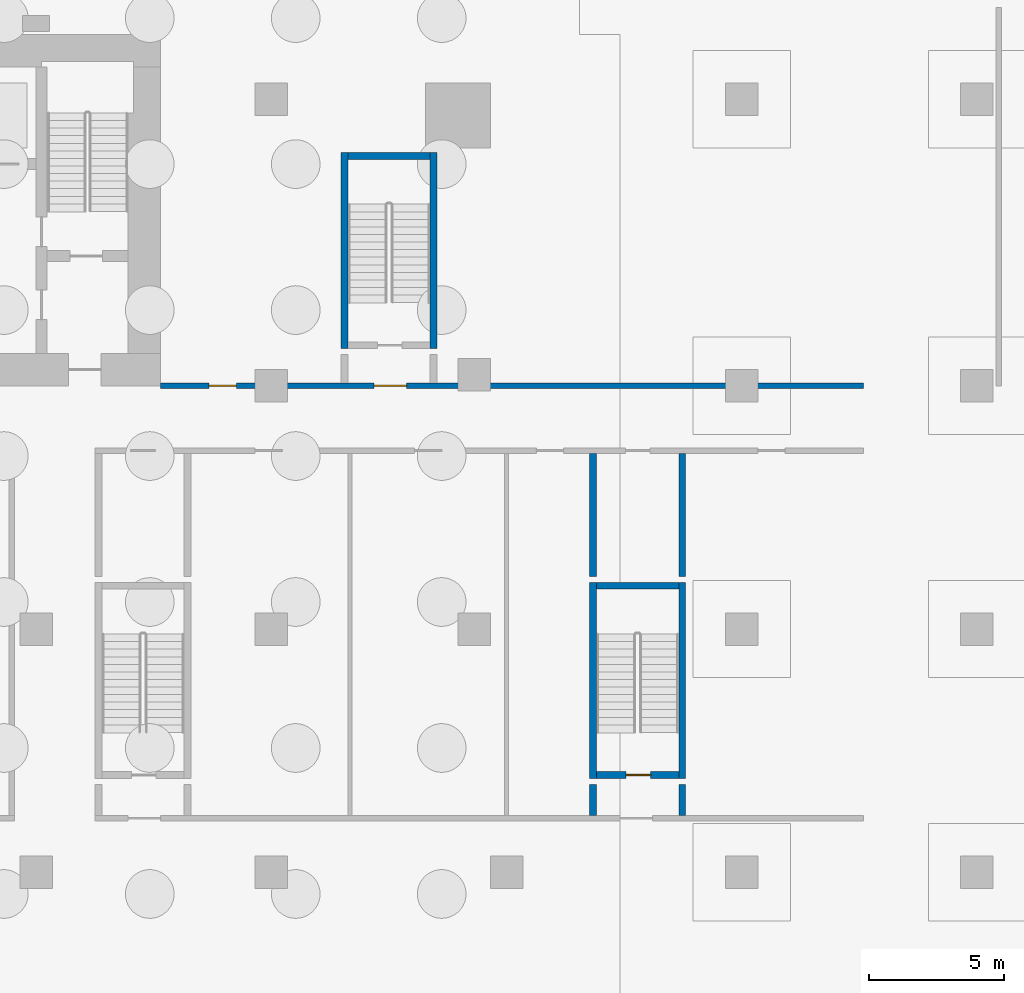
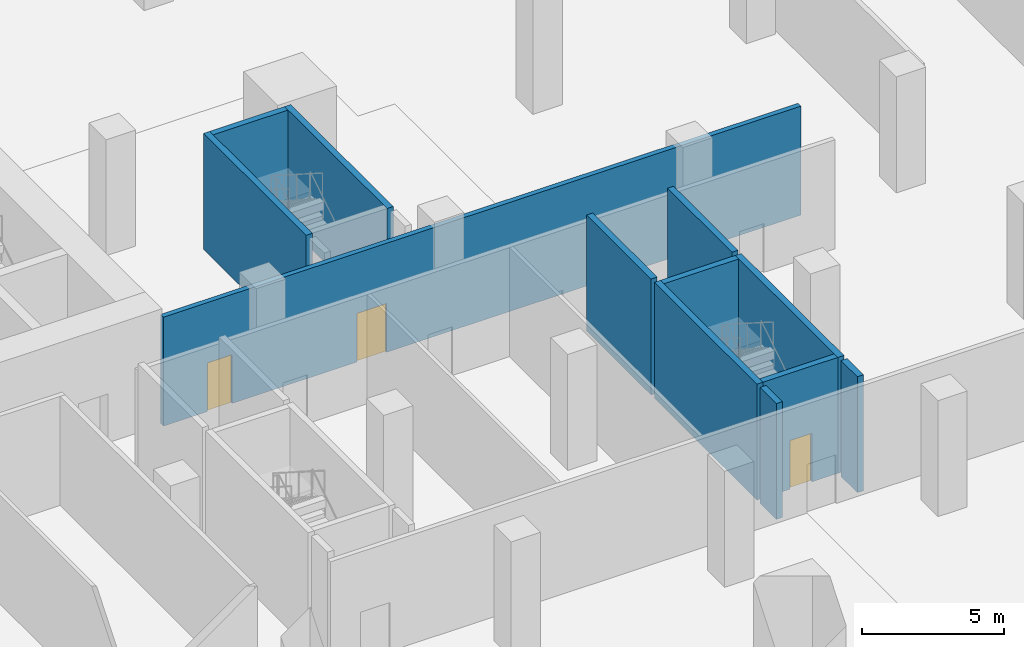
# One storey, part 6 of 10: 12 walls, 3 doors, 3 openings.
"""IFC4 building model written with IfcOpenShell, lengths in metres."""

from ifc_helpers import new_model, si_unit, direction, frame, frame_2d, origin, place, context, subcontext, project, spatial, rectangle, extrude, material, layer, layer_set, type_object, element, fill, save


model = new_model("IFC4")

# Units and contexts
model_context = context("Model", 3, precision=1e-05, world=origin(), true_north=direction((0.0, 1.0)))
body_context = subcontext(model_context, "Body", "Model", "MODEL_VIEW")
ifc_project = project(units=[si_unit("LENGTHUNIT", "METRE"), si_unit("AREAUNIT", "SQUARE_METRE"), si_unit("VOLUMEUNIT", "CUBIC_METRE"), si_unit("PLANEANGLEUNIT", "RADIAN"), si_unit("MASSUNIT", "GRAM", prefix="KILO")], contexts=[model_context])

# Site, building, storey
site_placement = place(None, origin())
site = spatial("IfcSite", under=ifc_project, at=site_placement, CompositionType="ELEMENT")
building_placement = place(site_placement, origin())
building = spatial("IfcBuilding", under=site, at=building_placement, Name="Bicima Exchange Tower", CompositionType="ELEMENT")
storey_placement = place(building_placement, frame((0.0, 0.0, -15.0)))
storey = spatial("IfcBuildingStorey", under=building, at=storey_placement, Name="B3", CompositionType="ELEMENT", Elevation=-15.0)

# Wall, openings, doors
ifc_material_1 = material(Name="Gypsum board partition")
ifc_layer_1 = layer(ifc_material_1, 0.199951171875)
ifc_layer_set_1 = layer_set([ifc_layer_1], Name="Gypsum board partition")
wall_type_1 = type_object("IfcWallType", Name="Fire-rated gypsum partition 200 EI60", PredefinedType="PARTITIONING", material=ifc_layer_set_1)
wall_1_placement = place(storey_placement, frame((22.0, -13.0, 0.0), z_axis=(0.0, 0.0, 1.0), x_axis=(1.0, 0.0, 0.0)))
wall_1 = element("IfcWall", 1, at=wall_1_placement, inside=storey, type_object=wall_type_1, Name="partition wall 16", PredefinedType="PARTITIONING", context=body_context, shape_type="SweptSolid", body=[
    extrude(rectangle(XDim=26.0, YDim=0.199951171875, at=frame_2d((13.0, 0.0))), origin(), (0.0, 0.0, 1.0), 4.699951171875),
])
opening_1_placement = place(wall_1_placement, frame((7.89990234375, 0.0, 0.0)))
opening_1 = element("IfcOpeningElement", 2, at=opening_1_placement, cuts=wall_1, Name="Opening B3-011", PredefinedType="OPENING", context=body_context, shape_type="SweptSolid", body=[
    extrude(rectangle(XDim=1.199951171875, YDim=2.10009765625, at=frame_2d((0.60009765625, 1.050048828125))), frame((0.0, 0.11181640625, 0.0), z_axis=(0.0, -1.0, 0.0), x_axis=(1.0, 0.0, 0.0)), (0.0, 0.0, 1.0), 0.223876953125),
])
opening_2_placement = place(wall_1_placement, frame((1.800048828125, 0.0, 0.0)))
opening_2 = element("IfcOpeningElement", 3, at=opening_2_placement, cuts=wall_1, Name="Opening B3-014", PredefinedType="OPENING", context=body_context, shape_type="SweptSolid", body=[
    extrude(rectangle(XDim=1.0, YDim=2.10009765625, at=frame_2d((0.5, 1.050048828125))), frame((0.0, 0.11181640625, 0.0), z_axis=(0.0, -1.0, 0.0), x_axis=(1.0, 0.0, 0.0)), (0.0, 0.0, 1.0), 0.223876953125),
])
ifc_material_2 = material(Name="Steel fire door leaf", Category="steel")
door_type_1 = type_object("IfcDoorType", Name="Door 1000 swing FD30S", OperationType="SINGLE_SWING_LEFT", PredefinedType="DOOR", material=ifc_material_2)
door_1_placement = place(opening_2_placement, origin())
door_1 = element("IfcDoor", 4, at=door_1_placement, inside=storey, type_object=door_type_1, Name="Door", OperationType="SINGLE_SWING_LEFT", OverallHeight=2.10009765625, OverallWidth=1.0, PredefinedType="DOOR", context=body_context, shape_type="SweptSolid", body=[
    extrude(rectangle(XDim=1.0, YDim=2.10009765625, at=frame_2d((0.5, 1.050048828125))), frame((0.0, 0.02490234375, 0.0), z_axis=(0.0, -1.0, 0.0), x_axis=(1.0, 0.0, 0.0)), (0.0, 0.0, 1.0), 0.050048828125),
])
fill(opening_2, door_1)
door_type_2 = type_object("IfcDoorType", Name="Door 1200 swing FD30S", OperationType="SINGLE_SWING_LEFT", PredefinedType="DOOR", material=ifc_material_2)
door_2_placement = place(opening_1_placement, origin())
door_2 = element("IfcDoor", 5, at=door_2_placement, inside=storey, type_object=door_type_2, Name="Door", OperationType="SINGLE_SWING_LEFT", OverallHeight=2.10009765625, OverallWidth=1.199951171875, PredefinedType="DOOR", context=body_context, shape_type="SweptSolid", body=[
    extrude(rectangle(XDim=1.199951171875, YDim=2.10009765625, at=frame_2d((0.60009765625, 1.050048828125))), frame((0.0, 0.02490234375, 0.0), z_axis=(0.0, -1.0, 0.0), x_axis=(1.0, 0.0, 0.0)), (0.0, 0.0, 1.0), 0.050048828125),
])
fill(opening_1, door_2)

# Walls
ifc_material_3 = material(Name="Concrete C50/60", Category="concrete")
ifc_layer_2 = layer(ifc_material_3, 0.25)
ifc_layer_set_2 = layer_set([ifc_layer_2], Name="Concrete C50/60")
wall_type_2 = type_object("IfcWallType", Name="RC core wall 250 C50/60", PredefinedType="SHEAR", material=ifc_layer_set_2)
wall_2_placement = place(storey_placement, frame((38.0, -28.89990234375, 0.0), z_axis=(0.0, 0.0, 1.0), x_axis=(0.0, 1.0, 0.0)))
element("IfcWall", 6, at=wall_2_placement, inside=storey, type_object=wall_type_2, Name="stair wall 42", PredefinedType="SHEAR", context=body_context, shape_type="SweptSolid", body=[
    extrude(rectangle(XDim=1.14990234375, YDim=0.25, at=frame_2d((0.574951171875, 0.0))), origin(), (0.0, 0.0, 1.0), 5.0),
])
wall_3_placement = place(storey_placement, frame((38.0, -20.050048828125, 0.0), z_axis=(0.0, 0.0, 1.0), x_axis=(0.0, 1.0, 0.0)))
element("IfcWall", 7, at=wall_3_placement, inside=storey, type_object=wall_type_2, Name="stair wall 42", PredefinedType="SHEAR", context=body_context, shape_type="SweptSolid", body=[
    extrude(rectangle(XDim=4.550048828125, YDim=0.25, at=frame_2d((2.27490234375, 0.0))), origin(), (0.0, 0.0, 1.0), 5.0),
])
wall_4_placement = place(storey_placement, frame((41.300048828125, -28.89990234375, 0.0), z_axis=(0.0, 0.0, 1.0), x_axis=(0.0, 1.0, 0.0)))
element("IfcWall", 8, at=wall_4_placement, inside=storey, type_object=wall_type_2, Name="stair wall 43", PredefinedType="SHEAR", context=body_context, shape_type="SweptSolid", body=[
    extrude(rectangle(XDim=1.14990234375, YDim=0.25, at=frame_2d((0.574951171875, 0.0))), origin(), (0.0, 0.0, 1.0), 5.0),
])
wall_5_placement = place(storey_placement, frame((41.300048828125, -20.050048828125, 0.0), z_axis=(0.0, 0.0, 1.0), x_axis=(0.0, 1.0, 0.0)))
element("IfcWall", 9, at=wall_5_placement, inside=storey, type_object=wall_type_2, Name="stair wall 43", PredefinedType="SHEAR", context=body_context, shape_type="SweptSolid", body=[
    extrude(rectangle(XDim=4.550048828125, YDim=0.25, at=frame_2d((2.27490234375, 0.0))), origin(), (0.0, 0.0, 1.0), 5.0),
])
ifc_layer_3 = layer(ifc_material_3, 0.25)
ifc_layer_set_3 = layer_set([ifc_layer_3], Name="Concrete C50/60")
wall_type_3 = type_object("IfcWallType", Name="RC stair enclosure wall 250 C50/60", PredefinedType="SHEAR", material=ifc_layer_set_3)
for number, where, z_axis, x_axis, name in (
    (10, (28.800048828125, -11.625, 0.0), (0.0, 0.0, 1.0), (0.0, 1.0, 0.0), "East end exit stair wall W"),
    (11, (32.10009765625, -11.625, 0.0), (0.0, 0.0, 1.0), (0.0, 1.0, 0.0), "East end exit stair wall E"),
):
    element("IfcWall", number, at=place(storey_placement, frame(where, z_axis=z_axis, x_axis=x_axis)), inside=storey, type_object=wall_type_3, Name=name, PredefinedType="SHEAR", context=body_context, shape_type="SweptSolid", body=[
        extrude(rectangle(XDim=7.25, YDim=0.25, at=frame_2d((3.625, 0.0))), origin(), (0.0, 0.0, 1.0), 5.0),
    ])
wall_6_placement = place(storey_placement, frame((28.925048828125, -4.5, 0.0), z_axis=(0.0, 0.0, 1.0), x_axis=(1.0, 0.0, 0.0)))
element("IfcWall", 12, at=wall_6_placement, inside=storey, type_object=wall_type_3, Name="East end exit stair wall N", PredefinedType="SHEAR", context=body_context, shape_type="SweptSolid", body=[
    extrude(rectangle(XDim=3.050048828125, YDim=0.25, at=frame_2d((1.52490234375, 0.0))), origin(), (0.0, 0.0, 1.0), 5.0),
])
for number, where, z_axis, x_axis, name in (
    (13, (38.0, -27.52490234375, 0.0), (0.0, 0.0, 1.0), (0.0, 1.0, 0.0), "Podium east stair wall W"),
    (14, (41.300048828125, -27.52490234375, 0.0), (0.0, 0.0, 1.0), (0.0, 1.0, 0.0), "Podium east stair wall E"),
):
    element("IfcWall", number, at=place(storey_placement, frame(where, z_axis=z_axis, x_axis=x_axis)), inside=storey, type_object=wall_type_3, Name=name, PredefinedType="SHEAR", context=body_context, shape_type="SweptSolid", body=[
        extrude(rectangle(XDim=7.25, YDim=0.25, at=frame_2d((3.625, 0.0))), origin(), (0.0, 0.0, 1.0), 5.0),
    ])

# Wall, opening, door
wall_7_placement = place(storey_placement, frame((38.125, -27.39990234375, 0.0), z_axis=(0.0, 0.0, 1.0), x_axis=(1.0, 0.0, 0.0)))
wall_7 = element("IfcWall", 15, at=wall_7_placement, inside=storey, type_object=wall_type_3, Name="Podium east stair wall S", PredefinedType="SHEAR", context=body_context, shape_type="SweptSolid", body=[
    extrude(rectangle(XDim=3.050048828125, YDim=0.25, at=frame_2d((1.52490234375, 0.0))), origin(), (0.0, 0.0, 1.0), 5.0),
])
opening_3_placement = place(wall_7_placement, frame((1.10009765625, 0.0, 0.0)))
opening_3 = element("IfcOpeningElement", 16, at=opening_3_placement, cuts=wall_7, Name="Opening B3-008", PredefinedType="OPENING", context=body_context, shape_type="SweptSolid", body=[
    extrude(rectangle(XDim=0.89990234375, YDim=2.10009765625, at=frame_2d((0.449951171875, 1.050048828125))), frame((0.0, 0.136962890625, 0.0), z_axis=(0.0, -1.0, 0.0), x_axis=(1.0, 0.0, 0.0)), (0.0, 0.0, 1.0), 0.27392578125),
])
door_type_3 = type_object("IfcDoorType", Name="Door 900 swing FD60S", OperationType="SINGLE_SWING_LEFT", PredefinedType="DOOR", material=ifc_material_2)
door_3_placement = place(opening_3_placement, origin())
door_3 = element("IfcDoor", 17, at=door_3_placement, inside=storey, type_object=door_type_3, Name="Door", OperationType="SINGLE_SWING_LEFT", OverallHeight=2.10009765625, OverallWidth=0.89990234375, PredefinedType="DOOR", context=body_context, shape_type="SweptSolid", body=[
    extrude(rectangle(XDim=0.89990234375, YDim=2.10009765625, at=frame_2d((0.449951171875, 1.050048828125))), frame((0.0, 0.02490234375, 0.0), z_axis=(0.0, -1.0, 0.0), x_axis=(1.0, 0.0, 0.0)), (0.0, 0.0, 1.0), 0.050048828125),
])
fill(opening_3, door_3)

# Wall
wall_8_placement = place(storey_placement, frame((38.125, -20.39990234375, 0.0), z_axis=(0.0, 0.0, 1.0), x_axis=(1.0, 0.0, 0.0)))
element("IfcWall", 18, at=wall_8_placement, inside=storey, type_object=wall_type_3, Name="Podium east stair wall N", PredefinedType="SHEAR", context=body_context, shape_type="SweptSolid", body=[
    extrude(rectangle(XDim=3.050048828125, YDim=0.25, at=frame_2d((1.52490234375, 0.0))), origin(), (0.0, 0.0, 1.0), 5.0),
])

save(model, "model.ifc")
